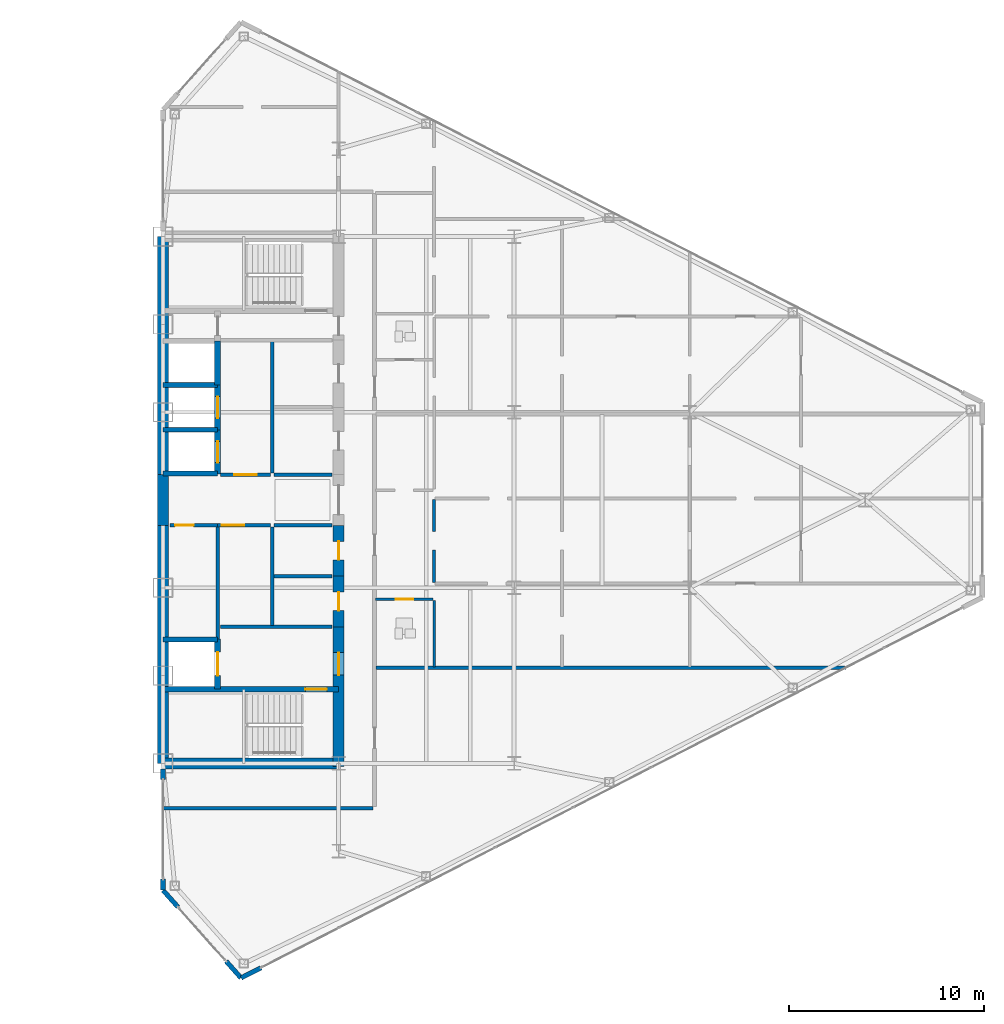
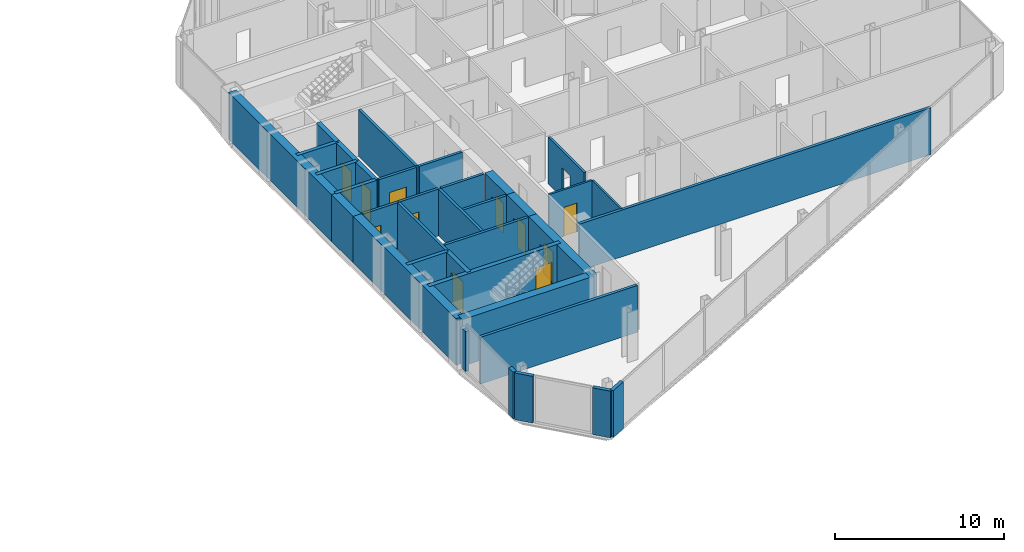
# One storey, part 17 of 22: 36 walls, 11 doors, 12 openings.
"""IFC4 building model written with IfcOpenShell, lengths in metres."""

from ifc_helpers import new_model, si_unit, direction, frame, frame_2d, origin, place, context, subcontext, project, spatial, rectangle, extrude, source, transform, mapped, material, layer, layer_set, type_object, type_shapes, element, fill, save


model = new_model("IFC4")

# Units and contexts
model_context = context("Model", 3, precision=1e-05, world=origin(), true_north=direction((0.0, 1.0)))
body_context = subcontext(model_context, "Body", "Model", "MODEL_VIEW")
ifc_project = project(units=[si_unit("LENGTHUNIT", "METRE"), si_unit("AREAUNIT", "SQUARE_METRE"), si_unit("VOLUMEUNIT", "CUBIC_METRE"), si_unit("PLANEANGLEUNIT", "RADIAN"), si_unit("MASSUNIT", "GRAM", prefix="KILO")], contexts=[model_context])

# Site, building, storey
site_placement = place(None, origin())
site = spatial("IfcSite", under=ifc_project, at=site_placement, CompositionType="ELEMENT")
building_placement = place(site_placement, origin())
building = spatial("IfcBuilding", under=site, at=building_placement, Name="Seokmaru Belvedere", CompositionType="ELEMENT")
storey_placement = place(building_placement, frame((0.0, 0.0, 151.199951171875)))
storey = spatial("IfcBuildingStorey", under=building, at=storey_placement, Name="L40", CompositionType="ELEMENT", Elevation=151.199951171875)

# Wall, opening
ifc_material_1 = material(Name="Fire-Rated Gypsum Shaftwall")
ifc_layer_1 = layer(ifc_material_1, 0.14990234375)
ifc_layer_set_1 = layer_set([ifc_layer_1], Name="Fire-Rated Gypsum Shaftwall")
wall_type_1 = type_object("IfcWallType", Name="Apartment Fire-Acoustic Room Partition 150", PredefinedType="PARTITIONING", material=ifc_layer_set_1)
wall_1_placement = place(storey_placement, frame((41.39990234375, -4.217041015625, 0.0), z_axis=(0.0, 0.0, 1.0), x_axis=(0.0, 1.0, 0.0)))
wall_1 = element("IfcWall", 1, at=wall_1_placement, inside=storey, type_object=wall_type_1, Name="L40 Interior Partition 032", PredefinedType="PARTITIONING", context=body_context, shape_type="SweptSolid", body=[
    extrude(rectangle(XDim=4.234130859375, YDim=0.14990234375, at=frame_2d((2.1171875, 0.0))), origin(), (0.0, 0.0, 1.0), 3.380126953125),
])
opening_1_placement = place(wall_1_placement, frame((1.64208984375, 0.0, 0.0)))
element("IfcOpeningElement", 2, at=opening_1_placement, cuts=wall_1, Name="L40 Cased Opening 018", PredefinedType="OPENING", context=body_context, shape_type="SweptSolid", body=[
    extrude(rectangle(XDim=0.949951171875, YDim=2.14990234375, at=frame_2d((0.47509765625, 1.074951171875))), frame((0.0, 0.0849609375, 0.0), z_axis=(0.0, -1.0, 0.0), x_axis=(1.0, 0.0, 0.0)), (0.0, 0.0, 1.0), 0.169921875),
])

# Walls
ifc_layer_2 = layer(ifc_material_1, 0.179931640625)
ifc_layer_set_2 = layer_set([ifc_layer_2], Name="Fire-Rated Gypsum Shaftwall")
wall_type_2 = type_object("IfcWallType", Name="Core Service Fire Partition 180", PredefinedType="PARTITIONING", material=ifc_layer_set_2)
wall_2_placement = place(storey_placement, frame((30.449951171875, -6.5, 0.0), z_axis=(0.0, 0.0, 1.0), x_axis=(1.0, 0.0, 0.0)))
element("IfcWall", 3, at=wall_2_placement, inside=storey, type_object=wall_type_2, Name="L40 East Firefighting Lobby Partition", PredefinedType="PARTITIONING", context=body_context, shape_type="SweptSolid", body=[
    extrude(rectangle(XDim=5.699951171875, YDim=0.179931640625, at=frame_2d((2.85009765625, 0.0))), origin(), (0.0, 0.0, 1.0), 3.380126953125),
])
wall_3_placement = place(storey_placement, frame((33.10009765625, -6.419921875, 0.0), z_axis=(0.0, 0.0, 1.0), x_axis=(0.0, 1.0, 0.0)))
element("IfcWall", 4, at=wall_3_placement, inside=storey, type_object=wall_type_2, Name="L40 East South Core Service Back Wall", PredefinedType="PARTITIONING", context=body_context, shape_type="SweptSolid", body=[
    extrude(rectangle(XDim=5.0400390625, YDim=0.179931640625, at=frame_2d((2.52001953125, 0.0))), origin(), (0.0, 0.0, 1.0), 3.380126953125),
])
wall_4_placement = place(storey_placement, frame((33.10009765625, 1.3798828125, 0.0), z_axis=(0.0, 0.0, 1.0), x_axis=(0.0, 1.0, 0.0)))
element("IfcWall", 5, at=wall_4_placement, inside=storey, type_object=wall_type_2, Name="L40 East North Core Service Back Wall", PredefinedType="PARTITIONING", context=body_context, shape_type="SweptSolid", body=[
    extrude(rectangle(XDim=6.740234375, YDim=0.179931640625, at=frame_2d((3.3701171875, 0.0))), origin(), (0.0, 0.0, 1.0), 3.380126953125),
])

# Wall, opening, door
wall_5_placement = place(storey_placement, frame((27.85009765625, -1.300048828125, 0.0), z_axis=(0.0, 0.0, 1.0), x_axis=(1.0, 0.0, 0.0)))
wall_5 = element("IfcWall", 6, at=wall_5_placement, inside=storey, type_object=wall_type_2, Name="L40 East South Parcel Vault Foyer Wall", PredefinedType="PARTITIONING", context=body_context, shape_type="SweptSolid", body=[
    extrude(rectangle(XDim=2.449951171875, YDim=0.179931640625, at=frame_2d((1.22509765625, 0.0))), origin(), (0.0, 0.0, 1.0), 3.380126953125),
])
opening_2_placement = place(wall_5_placement, frame((0.27490234375, 0.0, 0.0)))
opening_2 = element("IfcOpeningElement", 7, at=opening_2_placement, cuts=wall_5, Name="Opening D04", PredefinedType="OPENING", context=body_context, shape_type="SweptSolid", body=[
    extrude(rectangle(XDim=0.949951171875, YDim=2.14990234375, at=frame_2d((0.47509765625, 1.074951171875))), frame((0.0, 0.10009765625, 0.0), z_axis=(0.0, -1.0, 0.0), x_axis=(1.0, 0.0, 0.0)), (0.0, 0.0, 1.0), 0.199951171875),
])
ifc_material_2 = material(Name="Fire-Rated Steel Leaf", Category="steel")
door_type_1 = type_object("IfcDoorType", Name="Core Service Room Fire Door 950x2150", OperationType="NOTDEFINED", PredefinedType="DOOR", material=ifc_material_2)
shared_shape_1 = source(origin(), body_context, "Body", "SweptSolid", [
    extrude(rectangle(XDim=0.949951171875, YDim=2.14990234375, at=frame_2d((0.47509765625, 1.074951171875))), frame((0.0, 0.02490234375, 0.0), z_axis=(0.0, -1.0, 0.0), x_axis=(1.0, 0.0, 0.0)), (0.0, 0.0, 1.0), 0.050048828125),
])
type_shapes(door_type_1, [shared_shape_1])
door_1_placement = place(opening_2_placement, origin())
door_1 = element("IfcDoor", 8, at=door_1_placement, inside=storey, type_object=door_type_1, Name="L40 East South Parcel Vault Door", OperationType="SINGLE_SWING_RIGHT", OverallHeight=2.14990234375, OverallWidth=0.949951171875, PredefinedType="DOOR", context=body_context, shape_type="MappedRepresentation", body=[
    mapped(shared_shape_1, transform((0.0, 0.0, 0.0), scale=1.0)),
])
fill(opening_2, door_1)

wall_6_placement = place(storey_placement, frame((30.300048828125, -1.300048828125, 0.0), z_axis=(0.0, 0.0, 1.0), x_axis=(1.0, 0.0, 0.0)))
wall_6 = element("IfcWall", 9, at=wall_6_placement, inside=storey, type_object=wall_type_2, Name="L40 East South Wine Cellar Foyer Wall", PredefinedType="PARTITIONING", context=body_context, shape_type="SweptSolid", body=[
    extrude(rectangle(XDim=2.719970703125, YDim=0.179931640625, at=frame_2d((1.35986328125, 0.0))), origin(), (0.0, 0.0, 1.0), 3.380126953125),
])
opening_3_placement = place(wall_6_placement, frame((0.2099609375, 0.0, 0.0)))
opening_3 = element("IfcOpeningElement", 10, at=opening_3_placement, cuts=wall_6, Name="Opening D02", PredefinedType="OPENING", context=body_context, shape_type="SweptSolid", body=[
    extrude(rectangle(XDim=1.14990234375, YDim=2.199951171875, at=frame_2d((0.574951171875, 1.10009765625))), frame((0.0, 0.10009765625, 0.0), z_axis=(0.0, -1.0, 0.0), x_axis=(1.0, 0.0, 0.0)), (0.0, 0.0, 1.0), 0.199951171875),
])
door_type_2 = type_object("IfcDoorType", Name="Lobby and Vestibule Fire Door 1150x2200", OperationType="NOTDEFINED", PredefinedType="DOOR", material=ifc_material_2)
shared_shape_2 = source(origin(), body_context, "Body", "SweptSolid", [
    extrude(rectangle(XDim=1.14990234375, YDim=2.199951171875, at=frame_2d((0.574951171875, 1.10009765625))), frame((0.0, 0.02490234375, 0.0), z_axis=(0.0, -1.0, 0.0), x_axis=(1.0, 0.0, 0.0)), (0.0, 0.0, 1.0), 0.050048828125),
])
type_shapes(door_type_2, [shared_shape_2])
door_2_placement = place(opening_3_placement, origin())
door_2 = element("IfcDoor", 11, at=door_2_placement, inside=storey, type_object=door_type_2, Name="L40 East South Core Foyer Door", OperationType="SINGLE_SWING_RIGHT", OverallHeight=2.199951171875, OverallWidth=1.14990234375, PredefinedType="DOOR", context=body_context, shape_type="MappedRepresentation", body=[
    mapped(shared_shape_2, transform((0.0, 0.0, 0.0), scale=1.0)),
])
fill(opening_3, door_2)

# Wall
wall_7_placement = place(storey_placement, frame((30.300048828125, -7.1201171875, 0.0), z_axis=(0.0, 0.0, 1.0), x_axis=(0.0, 1.0, 0.0)))
element("IfcWall", 12, at=wall_7_placement, inside=storey, type_object=wall_type_2, Name="L40 East Freed Shaft Vault Partition", PredefinedType="PARTITIONING", context=body_context, shape_type="SweptSolid", body=[
    extrude(rectangle(XDim=5.740234375, YDim=0.179931640625, at=frame_2d((2.8701171875, 0.0))), origin(), (0.0, 0.0, 1.0), 3.380126953125),
])

# Wall, opening, door
wall_8_placement = place(storey_placement, frame((30.449951171875, 1.300048828125, 0.0), z_axis=(0.0, 0.0, 1.0), x_axis=(1.0, 0.0, 0.0)))
wall_8 = element("IfcWall", 13, at=wall_8_placement, inside=storey, type_object=wall_type_2, Name="L40 East North Lift Lobby Foyer Wall", PredefinedType="PARTITIONING", context=body_context, shape_type="SweptSolid", body=[
    extrude(rectangle(XDim=2.570068359375, YDim=0.179931640625, at=frame_2d((1.28515625, 0.0))), origin(), (0.0, 0.0, 1.0), 3.380126953125),
])
opening_4_placement = place(wall_8_placement, frame((0.7099609375, 0.0, 0.0)))
opening_4 = element("IfcOpeningElement", 14, at=opening_4_placement, cuts=wall_8, Name="Opening D02", PredefinedType="OPENING", context=body_context, shape_type="SweptSolid", body=[
    extrude(rectangle(XDim=1.14990234375, YDim=2.199951171875, at=frame_2d((0.574951171875, 1.10009765625))), frame((0.0, 0.10009765625, 0.0), z_axis=(0.0, -1.0, 0.0), x_axis=(1.0, 0.0, 0.0)), (0.0, 0.0, 1.0), 0.199951171875),
])
door_3_placement = place(opening_4_placement, origin())
door_3 = element("IfcDoor", 15, at=door_3_placement, inside=storey, type_object=door_type_2, Name="L40 East North Lift Lobby Door", OperationType="SINGLE_SWING_LEFT", OverallHeight=2.199951171875, OverallWidth=1.14990234375, PredefinedType="DOOR", context=body_context, shape_type="MappedRepresentation", body=[
    mapped(shared_shape_2, transform((0.0, 0.0, 0.0), scale=1.0)),
])
fill(opening_4, door_3)

# Walls
for number, where, z_axis, x_axis, name in (
    (16, (33.199951171875, -1.300048828125, 0.0), (0.0, 0.0, 1.0), (1.0, 0.0, 0.0), "L40 East Foyer Side Wall S"),
    (17, (33.199951171875, 1.300048828125, 0.0), (0.0, 0.0, 1.0), (1.0, 0.0, 0.0), "L40 East Foyer Side Wall N"),
    (18, (33.199951171875, -3.89990234375, 0.0), (0.0, 0.0, 1.0), (1.0, 0.0, 0.0), "L40 East Core Service Partition 1"),
):
    element("IfcWall", number, at=place(storey_placement, frame(where, z_axis=z_axis, x_axis=x_axis)), inside=storey, type_object=wall_type_2, Name=name, PredefinedType="PARTITIONING", context=body_context, shape_type="SweptSolid", body=[
        extrude(rectangle(XDim=2.949951171875, YDim=0.179931640625, at=frame_2d((1.47509765625, 0.0))), origin(), (0.0, 0.0, 1.0), 3.380126953125),
    ])
ifc_material_3 = material(Name="Concrete C50 (50 MPa)", Category="concrete")
ifc_layer_3 = layer(ifc_material_3, 0.25)
ifc_layer_set_3 = layer_set([ifc_layer_3], Name="Concrete C50 (50 MPa)")
wall_type_3 = type_object("IfcWallType", Name="Hoistway Transverse Concrete Divider Wall 250", PredefinedType="SHEAR", material=ifc_layer_set_3)
for number, where, z_axis, x_axis, name in (
    (19, (27.5, -7.14990234375, 0.0), (0.0, 0.0, 1.0), (1.0, 0.0, 0.0), "L40 East Hoistway Divider Core Wall 1"),
    (20, (27.5, 1.35009765625, 0.0), (0.0, 0.0, 1.0), (1.0, 0.0, 0.0), "L40 East Hoistway Divider Core Wall 2"),
    (21, (27.5, 3.60009765625, 0.0), (0.0, 0.0, 1.0), (1.0, 0.0, 0.0), "L40 East Hoistway Divider Core Wall 3"),
    (22, (27.5, 5.89990234375, 0.0), (0.0, 0.0, 1.0), (1.0, 0.0, 0.0), "L40 East Hoistway Divider Core Wall 4"),
):
    element("IfcWall", number, at=place(storey_placement, frame(where, z_axis=z_axis, x_axis=x_axis)), inside=storey, type_object=wall_type_3, Name=name, PredefinedType="SHEAR", context=body_context, shape_type="SweptSolid", body=[
        extrude(rectangle(XDim=2.800048828125, YDim=0.25, at=frame_2d((1.39990234375, 0.0))), origin(), (0.0, 0.0, 1.0), 3.380126953125),
    ])
ifc_layer_4 = layer(ifc_material_1, 0.199951171875)
ifc_layer_set_4 = layer_set([ifc_layer_4], Name="Fire-Rated Gypsum Shaftwall")
wall_type_4 = type_object("IfcWallType", Name="Inter-Tenancy Fire Compartment Partition 200", PredefinedType="PARTITIONING", material=ifc_layer_set_4)
wall_9_placement = place(storey_placement, frame((27.5, -15.800048828125, 0.0), z_axis=(0.0, 0.0, 1.0), x_axis=(1.0, 0.0, 0.0)))
element("IfcWall", 23, at=wall_9_placement, inside=storey, type_object=wall_type_4, Name="L40 Interior Partition 002", PredefinedType="PARTITIONING", context=body_context, shape_type="SweptSolid", body=[
    extrude(rectangle(XDim=10.764892578125, YDim=0.199951171875, at=frame_2d((5.38232421875, 0.0))), origin(), (0.0, 0.0, 1.0), 3.380126953125),
])
wall_10_placement = place(storey_placement, frame((38.429931640625, -8.60009765625, 0.0), z_axis=(0.0, 0.0, 1.0), x_axis=(1.0, 0.0, 0.0)))
element("IfcWall", 24, at=wall_10_placement, inside=storey, type_object=wall_type_4, Name="L40 Interior Partition 003", PredefinedType="PARTITIONING", context=body_context, shape_type="SweptSolid", body=[
    extrude(rectangle(XDim=24.066162109375, YDim=0.199951171875, at=frame_2d((12.033203125, 0.0))), origin(), (0.0, 0.0, 1.0), 3.380126953125),
])

# Wall, opening, door
ifc_layer_5 = layer(ifc_material_3, 0.300048828125)
ifc_layer_set_5 = layer_set([ifc_layer_5], Name="Concrete C50 (50 MPa)")
wall_type_5 = type_object("IfcWallType", Name="Internal Core Stair and Hoistway Wall 300", PredefinedType="SHEAR", material=ifc_layer_set_5)
wall_11_placement = place(storey_placement, frame((27.5, -9.699951171875, 0.0), z_axis=(0.0, 0.0, 1.0), x_axis=(1.0, 0.0, 0.0)))
wall_11 = element("IfcWall", 25, at=wall_11_placement, inside=storey, type_object=wall_type_5, Name="L40 East Stair ST-1 Enclosure Wall", PredefinedType="SHEAR", context=body_context, shape_type="SweptSolid", body=[
    extrude(rectangle(XDim=9.0, YDim=0.300048828125, at=frame_2d((4.5, 0.0))), origin(), (0.0, 0.0, 1.0), 3.380126953125),
])
opening_5_placement = place(wall_11_placement, frame((7.300048828125, 0.0, 0.0)))
opening_5 = element("IfcOpeningElement", 26, at=opening_5_placement, cuts=wall_11, Name="Opening D01", PredefinedType="OPENING", context=body_context, shape_type="SweptSolid", body=[
    extrude(rectangle(XDim=1.10009765625, YDim=2.199951171875, at=frame_2d((0.550048828125, 1.10009765625))), frame((0.0, 0.16015625, 0.0), z_axis=(0.0, -1.0, 0.0), x_axis=(1.0, 0.0, 0.0)), (0.0, 0.0, 1.0), 0.320068359375),
])
door_type_3 = type_object("IfcDoorType", Name="Special Escape Stair Smokeproof Fire Door 1100x2200", OperationType="NOTDEFINED", PredefinedType="DOOR", material=ifc_material_2)
shared_shape_3 = source(origin(), body_context, "Body", "SweptSolid", [
    extrude(rectangle(XDim=1.10009765625, YDim=2.199951171875, at=frame_2d((0.550048828125, 1.10009765625))), frame((0.0, 0.02490234375, 0.0), z_axis=(0.0, -1.0, 0.0), x_axis=(1.0, 0.0, 0.0)), (0.0, 0.0, 1.0), 0.050048828125),
])
type_shapes(door_type_3, [shared_shape_3])
door_4_placement = place(opening_5_placement, frame((1.10009765625, 0.0, 0.0), z_axis=(0.0, 0.0, 1.0), x_axis=(-1.0, 0.0, 0.0)))
door_4 = element("IfcDoor", 27, at=door_4_placement, inside=storey, type_object=door_type_3, Name="L40 East Special Escape Stair ST-1 Door", OperationType="SINGLE_SWING_RIGHT", OverallHeight=2.199951171875, OverallWidth=1.10009765625, PredefinedType="DOOR", context=body_context, shape_type="MappedRepresentation", body=[
    mapped(shared_shape_3, transform((0.0, 0.0, 0.0), scale=1.0)),
])
fill(opening_5, door_4)

wall_12_placement = place(storey_placement, frame((30.300048828125, -9.679931640625, 0.0), z_axis=(0.0, 0.0, 1.0), x_axis=(0.0, 1.0, 0.0)))
wall_12 = element("IfcWall", 28, at=wall_12_placement, inside=storey, type_object=wall_type_5, Name="L40 East Firefighting Lift Shaft Front Wall", PredefinedType="SHEAR", context=body_context, shape_type="SweptSolid", body=[
    extrude(rectangle(XDim=2.559814453125, YDim=0.300048828125, at=frame_2d((1.27978515625, 0.0))), origin(), (0.0, 0.0, 1.0), 3.380126953125),
])
opening_6_placement = place(wall_12_placement, frame((0.679931640625, 0.0, 0.0)))
opening_6 = element("IfcOpeningElement", 29, at=opening_6_placement, cuts=wall_12, Name="Opening LD2", PredefinedType="OPENING", context=body_context, shape_type="SweptSolid", body=[
    extrude(rectangle(XDim=1.199951171875, YDim=2.25, at=frame_2d((0.60009765625, 1.125))), frame((0.0, 0.16015625, 0.0), z_axis=(0.0, -1.0, 0.0), x_axis=(1.0, 0.0, 0.0)), (0.0, 0.0, 1.0), 0.320068359375),
])
ifc_material_4 = material(Name="Stainless Steel 316", Category="steel")
door_type_4 = type_object("IfcDoorType", Name="Firefighting Lift Sliding Landing Door 1200x2250", OperationType="DOUBLE_DOOR_SLIDING", PredefinedType="DOOR", material=ifc_material_4)
shared_shape_4 = source(origin(), body_context, "Body", "SweptSolid", [
    extrude(rectangle(XDim=1.199951171875, YDim=2.25, at=frame_2d((0.60009765625, 1.125))), frame((0.0, 0.02490234375, 0.0), z_axis=(0.0, -1.0, 0.0), x_axis=(1.0, 0.0, 0.0)), (0.0, 0.0, 1.0), 0.050048828125),
])
type_shapes(door_type_4, [shared_shape_4])
door_5_placement = place(opening_6_placement, origin())
door_5 = element("IfcDoor", 30, at=door_5_placement, inside=storey, type_object=door_type_4, Name="L40 East Firefighting Lift Landing Door", OperationType="DOUBLE_DOOR_SLIDING", OverallHeight=2.25, OverallWidth=1.199951171875, PredefinedType="DOOR", context=body_context, shape_type="MappedRepresentation", body=[
    mapped(shared_shape_4, transform((0.0, 0.0, 0.0), scale=1.0)),
])
fill(opening_6, door_5)

wall_13_placement = place(storey_placement, frame((30.300048828125, 1.320068359375, 0.0), z_axis=(0.0, 0.0, 1.0), x_axis=(0.0, 1.0, 0.0)))
wall_13 = element("IfcWall", 31, at=wall_13_placement, inside=storey, type_object=wall_type_5, Name="L40 East North Hoistway Wall PH1", PredefinedType="SHEAR", context=body_context, shape_type="SweptSolid", body=[
    extrude(rectangle(XDim=2.280029296875, YDim=0.300048828125, at=frame_2d((1.14013671875, 0.0))), origin(), (0.0, 0.0, 1.0), 3.380126953125),
])
opening_7_placement = place(wall_13_placement, frame((0.590087890625, 0.0, 0.0)))
opening_7 = element("IfcOpeningElement", 32, at=opening_7_placement, cuts=wall_13, Name="Opening LD1", PredefinedType="OPENING", context=body_context, shape_type="SweptSolid", body=[
    extrude(rectangle(XDim=1.10009765625, YDim=2.199951171875, at=frame_2d((0.550048828125, 1.10009765625))), frame((0.0, 0.16015625, 0.0), z_axis=(0.0, -1.0, 0.0), x_axis=(1.0, 0.0, 0.0)), (0.0, 0.0, 1.0), 0.320068359375),
])
door_type_5 = type_object("IfcDoorType", Name="Passenger Lift Sliding Landing Door 1100x2200", OperationType="DOUBLE_DOOR_SLIDING", PredefinedType="DOOR", material=ifc_material_4)
shared_shape_5 = source(origin(), body_context, "Body", "SweptSolid", [
    extrude(rectangle(XDim=1.10009765625, YDim=2.199951171875, at=frame_2d((0.550048828125, 1.10009765625))), frame((0.0, 0.02490234375, 0.0), z_axis=(0.0, -1.0, 0.0), x_axis=(1.0, 0.0, 0.0)), (0.0, 0.0, 1.0), 0.050048828125),
])
type_shapes(door_type_5, [shared_shape_5])
door_6_placement = place(opening_7_placement, origin())
door_6 = element("IfcDoor", 33, at=door_6_placement, inside=storey, type_object=door_type_5, Name="L40 East High-Rise Lift PH-1 Landing Door", OperationType="DOUBLE_DOOR_SLIDING", OverallHeight=2.199951171875, OverallWidth=1.10009765625, PredefinedType="DOOR", context=body_context, shape_type="MappedRepresentation", body=[
    mapped(shared_shape_5, transform((0.0, 0.0, 0.0), scale=1.0)),
])
fill(opening_7, door_6)

wall_14_placement = place(storey_placement, frame((30.300048828125, 3.60009765625, 0.0), z_axis=(0.0, 0.0, 1.0), x_axis=(0.0, 1.0, 0.0)))
wall_14 = element("IfcWall", 34, at=wall_14_placement, inside=storey, type_object=wall_type_5, Name="L40 East North Hoistway Wall PH2", PredefinedType="SHEAR", context=body_context, shape_type="SweptSolid", body=[
    extrude(rectangle(XDim=2.2998046875, YDim=0.300048828125, at=frame_2d((1.14990234375, 0.0))), origin(), (0.0, 0.0, 1.0), 3.380126953125),
])
opening_8_placement = place(wall_14_placement, frame((0.60009765625, 0.0, 0.0)))
opening_8 = element("IfcOpeningElement", 35, at=opening_8_placement, cuts=wall_14, Name="Opening LD1", PredefinedType="OPENING", context=body_context, shape_type="SweptSolid", body=[
    extrude(rectangle(XDim=1.10009765625, YDim=2.199951171875, at=frame_2d((0.550048828125, 1.10009765625))), frame((0.0, 0.16015625, 0.0), z_axis=(0.0, -1.0, 0.0), x_axis=(1.0, 0.0, 0.0)), (0.0, 0.0, 1.0), 0.320068359375),
])
door_7_placement = place(opening_8_placement, origin())
door_7 = element("IfcDoor", 36, at=door_7_placement, inside=storey, type_object=door_type_5, Name="L40 East High-Rise Lift PH-2 Landing Door", OperationType="DOUBLE_DOOR_SLIDING", OverallHeight=2.199951171875, OverallWidth=1.10009765625, PredefinedType="DOOR", context=body_context, shape_type="MappedRepresentation", body=[
    mapped(shared_shape_5, transform((0.0, 0.0, 0.0), scale=1.0)),
])
fill(opening_8, door_7)

# Walls
wall_15_placement = place(storey_placement, frame((30.300048828125, 5.89990234375, 0.0), z_axis=(0.0, 0.0, 1.0), x_axis=(0.0, 1.0, 0.0)))
element("IfcWall", 37, at=wall_15_placement, inside=storey, type_object=wall_type_5, Name="L40 East North Hoistway Wall OBS", PredefinedType="SHEAR", context=body_context, shape_type="SweptSolid", body=[
    extrude(rectangle(XDim=2.25, YDim=0.300048828125, at=frame_2d((1.125, 0.0))), origin(), (0.0, 0.0, 1.0), 3.380126953125),
])
ifc_layer_6 = layer(ifc_material_3, 0.550048828125)
ifc_layer_set_6 = layer_set([ifc_layer_6], Name="Concrete C50 (50 MPa)")
wall_type_6 = type_object("IfcWallType", Name="Mid-High Reinforced Concrete Core Wall 550", PredefinedType="SHEAR", material=ifc_layer_set_6)
for number, where, z_axis, x_axis, name in (
    (38, (27.5, -13.5, 0.0), (0.0, 0.0, 1.0), (0.0, 1.0, 0.0), "L40 East Portal Spine Core Wall South"),
    (39, (27.5, 1.300048828125, 0.0), (0.0, 0.0, 1.0), (0.0, 1.0, 0.0), "L40 East Portal Spine Core Wall North"),
):
    element("IfcWall", number, at=place(storey_placement, frame(where, z_axis=z_axis, x_axis=x_axis)), inside=storey, type_object=wall_type_6, Name=name, PredefinedType="SHEAR", context=body_context, shape_type="SweptSolid", body=[
        extrude(rectangle(XDim=12.199951171875, YDim=0.550048828125, at=frame_2d((6.10009765625, 0.0))), origin(), (0.0, 0.0, 1.0), 3.380126953125),
    ])
wall_16_placement = place(storey_placement, frame((27.5, -1.300048828125, 0.0), z_axis=(0.0, 0.0, 1.0), x_axis=(0.0, 1.0, 0.0)))
element("IfcWall", 40, at=wall_16_placement, inside=storey, type_object=wall_type_6, Name="L40 East Portal Spine Core Wall Center", PredefinedType="SHEAR", context=body_context, shape_type="SweptSolid", body=[
    extrude(rectangle(XDim=2.60009765625, YDim=0.550048828125, at=frame_2d((1.300048828125, 0.0))), origin(), (0.0, 0.0, 1.0), 3.380126953125),
])
wall_17_placement = place(storey_placement, frame((27.5, -13.5, 0.0), z_axis=(0.0, 0.0, 1.0), x_axis=(1.0, 0.0, 0.0)))
element("IfcWall", 41, at=wall_17_placement, inside=storey, type_object=wall_type_6, Name="L40 East South Core Wall", PredefinedType="SHEAR", context=body_context, shape_type="SweptSolid", body=[
    extrude(rectangle(XDim=9.0, YDim=0.550048828125, at=frame_2d((4.5, 0.0))), origin(), (0.0, 0.0, 1.0), 3.380126953125),
])

# Wall, opening, door
wall_18_placement = place(storey_placement, frame((36.5, -13.64990234375, 0.0), z_axis=(0.0, 0.0, 1.0), x_axis=(0.0, 1.0, 0.0)))
wall_18 = element("IfcWall", 42, at=wall_18_placement, inside=storey, type_object=wall_type_6, Name="L40 East West Core Wall FF", PredefinedType="SHEAR", context=body_context, shape_type="SweptSolid", body=[
    extrude(rectangle(XDim=7.14990234375, YDim=0.550048828125, at=frame_2d((3.574951171875, 0.0))), origin(), (0.0, 0.0, 1.0), 3.380126953125),
])
opening_9_placement = place(wall_18_placement, frame((4.675048828125, 0.0, 0.0)))
opening_9 = element("IfcOpeningElement", 43, at=opening_9_placement, cuts=wall_18, Name="Opening D02", PredefinedType="OPENING", context=body_context, shape_type="SweptSolid", body=[
    extrude(rectangle(XDim=1.14990234375, YDim=2.199951171875, at=frame_2d((0.574951171875, 1.10009765625))), frame((0.0, 0.28515625, 0.0), z_axis=(0.0, -1.0, 0.0), x_axis=(1.0, 0.0, 0.0)), (0.0, 0.0, 1.0), 0.570068359375),
])
door_8_placement = place(opening_9_placement, origin())
door_8 = element("IfcDoor", 44, at=door_8_placement, inside=storey, type_object=door_type_2, Name="L40 East Firefighting Lobby Door", OperationType="SINGLE_SWING_RIGHT", OverallHeight=2.199951171875, OverallWidth=1.14990234375, PredefinedType="DOOR", context=body_context, shape_type="MappedRepresentation", body=[
    mapped(shared_shape_2, transform((0.0, 0.0, 0.0), scale=1.0)),
])
fill(opening_9, door_8)

wall_19_placement = place(storey_placement, frame((36.5, -6.5, 0.0), z_axis=(0.0, 0.0, 1.0), x_axis=(0.0, 1.0, 0.0)))
wall_19 = element("IfcWall", 45, at=wall_19_placement, inside=storey, type_object=wall_type_6, Name="L40 East West Core Wall CS1", PredefinedType="SHEAR", context=body_context, shape_type="SweptSolid", body=[
    extrude(rectangle(XDim=2.60009765625, YDim=0.550048828125, at=frame_2d((1.300048828125, 0.0))), origin(), (0.0, 0.0, 1.0), 3.380126953125),
])
opening_10_placement = place(wall_19_placement, frame((0.824951171875, 0.0, 0.0)))
opening_10 = element("IfcOpeningElement", 46, at=opening_10_placement, cuts=wall_19, Name="Opening D04", PredefinedType="OPENING", context=body_context, shape_type="SweptSolid", body=[
    extrude(rectangle(XDim=0.949951171875, YDim=2.14990234375, at=frame_2d((0.47509765625, 1.074951171875))), frame((0.0, 0.28515625, 0.0), z_axis=(0.0, -1.0, 0.0), x_axis=(1.0, 0.0, 0.0)), (0.0, 0.0, 1.0), 0.570068359375),
])
door_9_placement = place(opening_10_placement, origin())
door_9 = element("IfcDoor", 47, at=door_9_placement, inside=storey, type_object=door_type_1, Name="L40 East Core Service Room Door 1", OperationType="SINGLE_SWING_RIGHT", OverallHeight=2.14990234375, OverallWidth=0.949951171875, PredefinedType="DOOR", context=body_context, shape_type="MappedRepresentation", body=[
    mapped(shared_shape_1, transform((0.0, 0.0, 0.0), scale=1.0)),
])
fill(opening_10, door_9)

wall_20_placement = place(storey_placement, frame((36.5, -3.89990234375, 0.0), z_axis=(0.0, 0.0, 1.0), x_axis=(0.0, 1.0, 0.0)))
wall_20 = element("IfcWall", 48, at=wall_20_placement, inside=storey, type_object=wall_type_6, Name="L40 East West Core Wall CS2", PredefinedType="SHEAR", context=body_context, shape_type="SweptSolid", body=[
    extrude(rectangle(XDim=2.599853515625, YDim=0.550048828125, at=frame_2d((1.2998046875, 0.0))), origin(), (0.0, 0.0, 1.0), 3.380126953125),
])
opening_11_placement = place(wall_20_placement, frame((0.824951171875, 0.0, 0.0)))
opening_11 = element("IfcOpeningElement", 49, at=opening_11_placement, cuts=wall_20, Name="Opening D04", PredefinedType="OPENING", context=body_context, shape_type="SweptSolid", body=[
    extrude(rectangle(XDim=0.949951171875, YDim=2.14990234375, at=frame_2d((0.47509765625, 1.074951171875))), frame((0.0, 0.28515625, 0.0), z_axis=(0.0, -1.0, 0.0), x_axis=(1.0, 0.0, 0.0)), (0.0, 0.0, 1.0), 0.570068359375),
])
door_10_placement = place(opening_11_placement, origin())
door_10 = element("IfcDoor", 50, at=door_10_placement, inside=storey, type_object=door_type_1, Name="L40 East Core Service Room Door 2", OperationType="SINGLE_SWING_LEFT", OverallHeight=2.14990234375, OverallWidth=0.949951171875, PredefinedType="DOOR", context=body_context, shape_type="MappedRepresentation", body=[
    mapped(shared_shape_1, transform((0.0, 0.0, 0.0), scale=1.0)),
])
fill(opening_11, door_10)

ifc_layer_7 = layer(ifc_material_1, 0.1298828125)
ifc_layer_set_7 = layer_set([ifc_layer_7], Name="Fire-Rated Gypsum Shaftwall")
wall_type_7 = type_object("IfcWallType", Name="Moisture-Resistant Fire-Rated Bathroom Partition 130", PredefinedType="PARTITIONING", material=ifc_layer_set_7)
wall_21_placement = place(storey_placement, frame((38.39990234375, -5.090087890625, 0.0), z_axis=(0.0, 0.0, 1.0), x_axis=(1.0, 0.0, 0.0)))
wall_21 = element("IfcWall", 51, at=wall_21_placement, inside=storey, type_object=wall_type_7, Name="L40 Interior Partition 004", PredefinedType="PARTITIONING", context=body_context, shape_type="SweptSolid", body=[
    extrude(rectangle(XDim=2.9501953125, YDim=0.1298828125, at=frame_2d((1.47509765625, 0.0))), origin(), (0.0, 0.0, 1.0), 3.380126953125),
])
opening_12_placement = place(wall_21_placement, frame((1.034912109375, 0.0, 0.0)))
opening_12 = element("IfcOpeningElement", 52, at=opening_12_placement, cuts=wall_21, Name="Opening D06", PredefinedType="OPENING", context=body_context, shape_type="SweptSolid", body=[
    extrude(rectangle(XDim=0.8798828125, YDim=2.10009765625, at=frame_2d((0.43994140625, 1.050048828125))), frame((0.0, 0.074951171875, 0.0), z_axis=(0.0, -1.0, 0.0), x_axis=(1.0, 0.0, 0.0)), (0.0, 0.0, 1.0), 0.14990234375),
])
ifc_material_5 = material(Name="Engineered White Oak Timber", Category="wood")
door_type_6 = type_object("IfcDoorType", Name="Bathroom and Restroom Fire-Rated Door 880x2100", OperationType="NOTDEFINED", PredefinedType="DOOR", material=ifc_material_5)
shared_shape_6 = source(origin(), body_context, "Body", "SweptSolid", [
    extrude(rectangle(XDim=0.8798828125, YDim=2.10009765625, at=frame_2d((0.43994140625, 1.050048828125))), frame((0.0, 0.02490234375, 0.0), z_axis=(0.0, -1.0, 0.0), x_axis=(1.0, 0.0, 0.0)), (0.0, 0.0, 1.0), 0.050048828125),
])
type_shapes(door_type_6, [shared_shape_6])
door_11_placement = place(opening_12_placement, origin())
door_11 = element("IfcDoor", 53, at=door_11_placement, inside=storey, type_object=door_type_6, Name="L40 Interior Door 016", OperationType="SINGLE_SWING_RIGHT", OverallHeight=2.10009765625, OverallWidth=0.8798828125, PredefinedType="DOOR", context=body_context, shape_type="MappedRepresentation", body=[
    mapped(shared_shape_6, transform((0.0, 0.0, 0.0), scale=1.0)),
])
fill(opening_12, door_11)

# Walls
wall_22_placement = place(storey_placement, frame((41.39990234375, -8.550048828125, 0.0), z_axis=(0.0, 0.0, 1.0), x_axis=(0.0, 1.0, 0.0)))
element("IfcWall", 54, at=wall_22_placement, inside=storey, type_object=wall_type_7, Name="L40 Interior Partition 031", PredefinedType="PARTITIONING", context=body_context, shape_type="SweptSolid", body=[
    extrude(rectangle(XDim=3.407958984375, YDim=0.1298828125, at=frame_2d((1.7041015625, 0.0))), origin(), (0.0, 0.0, 1.0), 3.380126953125),
])
ifc_material_6 = material(Name="Anodised Bronze Aluminium", Category="aluminium")
ifc_layer_8 = layer(ifc_material_6, 0.239990234375)
ifc_layer_set_8 = layer_set([ifc_layer_8], Name="Anodised Bronze Aluminium")
wall_type_8 = type_object("IfcWallType", Name="Tower Corner Spandrel Closure Wall 240", PredefinedType="SOLIDWALL", material=ifc_layer_set_8)
wall_23_placement = place(storey_placement, frame((31.5087890625, -24.495361328125, 0.0), z_axis=(0.0, 0.0, 1.0), x_axis=(0.889797395748, 0.456355776255, 0.0)))
element("IfcWall", 55, at=wall_23_placement, inside=storey, type_object=wall_type_8, Name="L40 E Corner Closure Pier 1A", PredefinedType="SOLIDWALL", context=body_context, shape_type="SweptSolid", body=[
    extrude(rectangle(XDim=1.14013671875, YDim=0.239990234375, at=frame_2d((0.570068359375, 0.0))), origin(), (0.0, 0.0, 1.0), 3.380126953125),
])
wall_24_placement = place(storey_placement, frame((27.5, -19.97998046875, 0.0), z_axis=(0.0, 0.0, 1.0), x_axis=(0.0, 1.0, 0.0)))
element("IfcWall", 56, at=wall_24_placement, inside=storey, type_object=wall_type_8, Name="L40 E Spine Closure Pier 1A", PredefinedType="SOLIDWALL", context=body_context, shape_type="SweptSolid", body=[
    extrude(rectangle(XDim=0.550048828125, YDim=0.239990234375, at=frame_2d((0.27490234375, 0.0))), origin(), (0.0, 0.0, 1.0), 3.380126953125),
])
wall_25_placement = place(storey_placement, frame((27.5, -14.330078125, 0.0), z_axis=(0.0, 0.0, 1.0), x_axis=(0.0, 1.0, 0.0)))
element("IfcWall", 57, at=wall_25_placement, inside=storey, type_object=wall_type_8, Name="L40 E Spine Closure Pier 1B", PredefinedType="SOLIDWALL", context=body_context, shape_type="SweptSolid", body=[
    extrude(rectangle(XDim=0.550048828125, YDim=0.239990234375, at=frame_2d((0.27490234375, 0.0))), origin(), (0.0, 0.0, 1.0), 2.880126953125),
])
for number, where, z_axis, x_axis, name in (
    (58, (27.506591796875, -20.007568359375, 0.0), (0.0, 0.0, 1.0), (0.664337252513, -0.747432950119, 0.0), "L40 E Corner Closure Pier 6A"),
    (59, (30.736083984375, -23.640380859375, 0.0), (0.0, 0.0, 1.0), (0.664337252513, -0.747432950119, 0.0), "L40 E Corner Closure Pier 6B"),
):
    element("IfcWall", number, at=place(storey_placement, frame(where, z_axis=z_axis, x_axis=x_axis)), inside=storey, type_object=wall_type_8, Name=name, PredefinedType="SOLIDWALL", context=body_context, shape_type="SweptSolid", body=[
        extrude(rectangle(XDim=1.139892578125, YDim=0.239990234375, at=frame_2d((0.56982421875, 0.0))), origin(), (0.0, 0.0, 1.0), 3.380126953125),
    ])

save(model, "model.ifc")
